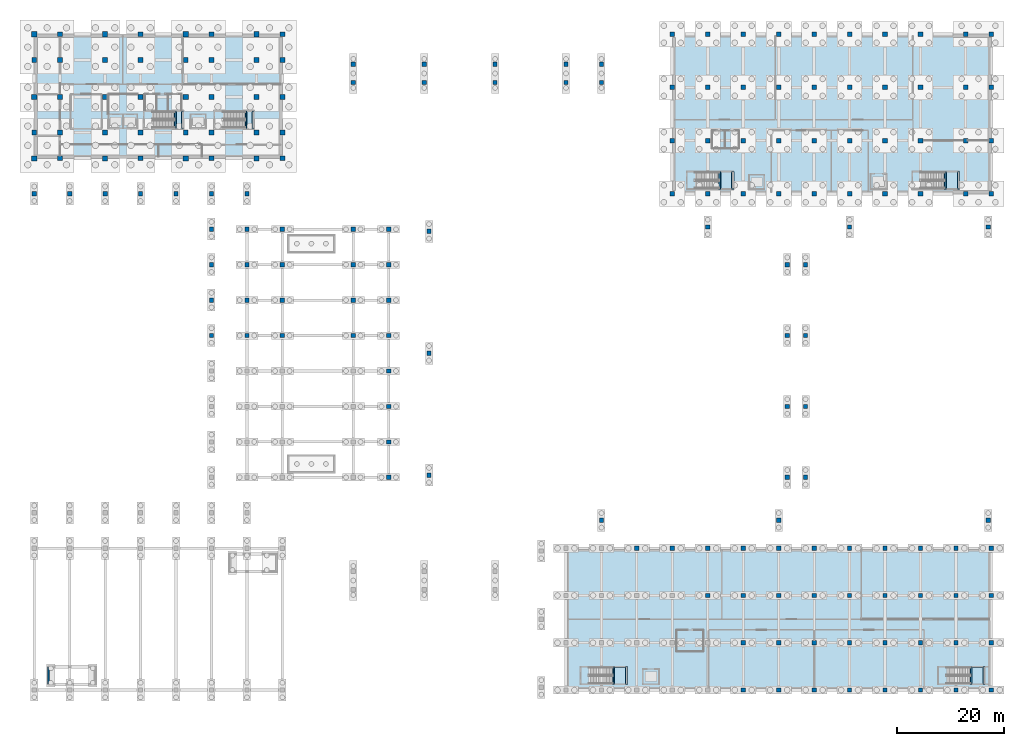
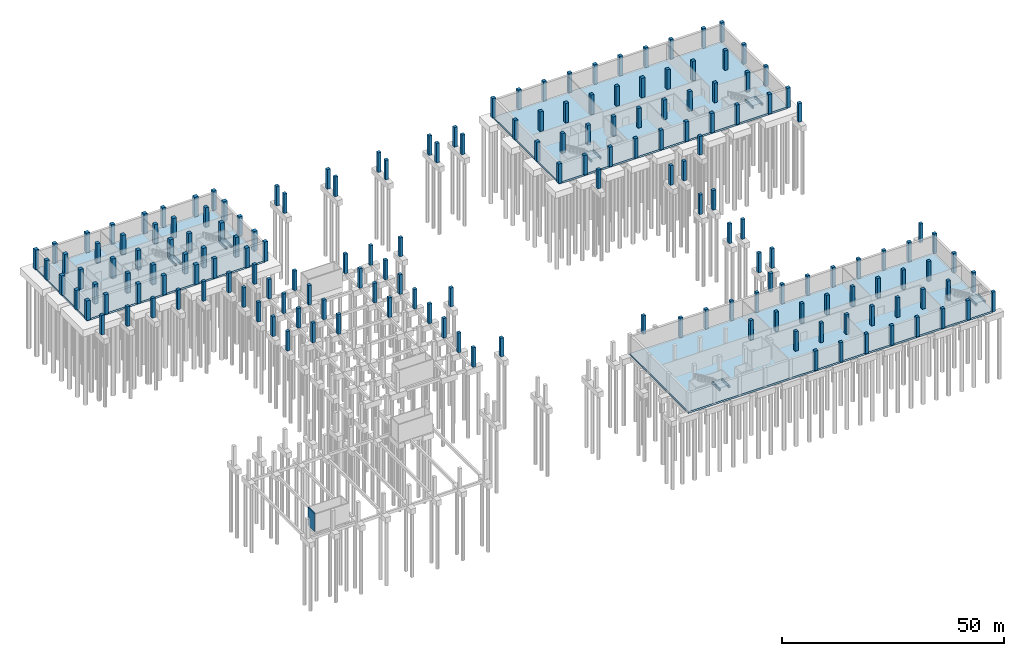
# One storey, part 7 of 23: 174 columns, 12 beams, 9 slabs, 1 wall, 6 elements without a shape of their own.
"""IFC4 building model written with IfcOpenShell, lengths in metres."""

import ifcopenshell
import ifcopenshell.guid

model = None  # the IFC model being written
_history = None  # IfcOwnerHistory: only IFC2X3 demands one
_inside = {}  # id of a spatial element -> (the spatial element, [elements in it])
_under = {}  # id of a project, library or spatial element -> (it, [spatial elements below it])
_declared = {}  # id of a project -> (the project, [libraries it declares])
_typed = {}  # id of a type object -> (the type object, [elements of that type])
_made_of = {}  # id of a material, layer set ... -> (it, [elements and type objects made of it])


def new_model(schema):
    """Start an empty IFC model of exactly this schema.

    Asked for "IFC4X3", IfcOpenShell would pick the latest addendum, in which some entities
    have other attributes; the version numbers below select the first issue.
    IFC2X3 requires an IfcOwnerHistory on every rooted entity: one is made here for all.
    """
    global model, _history
    if schema == "IFC4X3":
        model = ifcopenshell.file(schema_version=(4, 3, 0, 0))
    else:
        model = ifcopenshell.file(schema=schema)
    _inside.clear()
    _under.clear()
    _declared.clear()
    _typed.clear()
    _made_of.clear()
    _history = None
    if model.schema == "IFC2X3":
        org = make("IfcOrganization", Name="unknown")
        user = make(
            "IfcPersonAndOrganization",
            ThePerson=make("IfcPerson", FamilyName="unknown"),
            TheOrganization=org,
        )
        app = make(
            "IfcApplication",
            ApplicationDeveloper=org,
            Version="unknown",
            ApplicationFullName="unknown",
            ApplicationIdentifier="unknown",
        )
        _history = make(
            "IfcOwnerHistory",
            OwningUser=user,
            OwningApplication=app,
            ChangeAction="ADDED",
            CreationDate=0,
        )
    return model


def make(cls, **values):
    """One entity of the class cls with the attributes given. An attribute that is None is left unset."""
    return model.create_entity(
        cls, **{name: value for name, value in values.items() if value is not None}
    )


def rooted(cls, **values):
    """An entity with a GlobalId (a new one), such as an element, a storey or a relation."""
    return make(cls, GlobalId=ifcopenshell.guid.new(), OwnerHistory=_history, **values)


def si_unit(unit_type, name, prefix=None):
    """IfcSIUnit, for example si_unit("LENGTHUNIT", "METRE", prefix="MILLI")."""
    return make("IfcSIUnit", UnitType=unit_type, Prefix=prefix, Name=name)


def assignment(units):
    """IfcUnitAssignment: the units of a project."""
    return None if units is None else make("IfcUnitAssignment", Units=units)


def point(xyz):
    """IfcCartesianPoint."""
    return None if xyz is None else make("IfcCartesianPoint", Coordinates=xyz)


def direction(xyz):
    """IfcDirection."""
    return None if xyz is None else make("IfcDirection", DirectionRatios=xyz)


def frame(location, z_axis=None, x_axis=None):
    """IfcAxis2Placement3D, a coordinate frame: its origin and axes. An axis left out is left unset."""
    return make(
        "IfcAxis2Placement3D",
        Location=point(location),
        Axis=direction(z_axis),
        RefDirection=direction(x_axis),
    )


def frame_2d(location, x_axis=None):
    """IfcAxis2Placement2D, a coordinate frame in the plane: its origin and x axis."""
    return make(
        "IfcAxis2Placement2D", Location=point(location), RefDirection=direction(x_axis)
    )


def origin():
    """The frame at (0, 0, 0) with its axes left unset."""
    return frame((0.0, 0.0, 0.0))


def origin_2d():
    """The frame at (0, 0) in the plane with its x axis left unset."""
    return frame_2d((0.0, 0.0))


def place(relative_to, where):
    """IfcLocalPlacement: puts the frame where relative to a parent placement (None: the world)."""
    return make(
        "IfcLocalPlacement", PlacementRelTo=relative_to, RelativePlacement=where
    )


def context(
    kind, dimensions, precision=None, world=None, true_north=None, identifier=None
):
    """IfcGeometricRepresentationContext, for example the 3D "Model" context."""
    return make(
        "IfcGeometricRepresentationContext",
        ContextIdentifier=identifier,
        ContextType=kind,
        CoordinateSpaceDimension=dimensions,
        Precision=precision,
        WorldCoordinateSystem=world,
        TrueNorth=true_north,
    )


def subcontext(parent, identifier, kind, view, scale=None):
    """IfcGeometricRepresentationSubContext, for example "Body" below "Model"."""
    return make(
        "IfcGeometricRepresentationSubContext",
        ContextIdentifier=identifier,
        ContextType=kind,
        ParentContext=parent,
        TargetScale=scale,
        TargetView=view,
    )


def project(units=None, contexts=None):
    """IfcProject with its units and contexts."""
    return rooted(
        "IfcProject",
        Name="project",
        RepresentationContexts=contexts,
        UnitsInContext=assignment(units),
    )


def spatial(cls, under=None, at=None, **own):
    """A site, building, storey or space (cls), placed at a placement, below another one or the project."""
    s = rooted(cls, ObjectPlacement=at, **own)
    if under is not None:
        _under.setdefault(under.id(), (under, []))[1].append(s)
    return s


def polyline(points):
    """IfcPolyline through the points."""
    return make("IfcPolyline", Points=[point(p) for p in points])


def profile(cls, at=None, kind="AREA", **sizes):
    """A parametric profile (cls). Its sizes go by their IFC names, for example OverallWidth=200.0."""
    return make(cls, ProfileType=kind, Position=at, **sizes)


def rectangle(**sizes):
    """IfcRectangleProfileDef."""
    return profile("IfcRectangleProfileDef", **sizes)


def outline(outer, holes=None, kind="AREA"):
    """IfcArbitraryClosedProfileDef: a profile drawn as a closed curve; with holes, ...WithVoids."""
    if holes is None:
        return make("IfcArbitraryClosedProfileDef", ProfileType=kind, OuterCurve=outer)
    return make(
        "IfcArbitraryProfileDefWithVoids",
        ProfileType=kind,
        OuterCurve=outer,
        InnerCurves=holes,
    )


def extrude(swept, where, along, depth):
    """IfcExtrudedAreaSolid: the profile swept, set in the frame where, extruded along a direction by depth."""
    return make(
        "IfcExtrudedAreaSolid",
        SweptArea=swept,
        Position=where,
        ExtrudedDirection=direction(along),
        Depth=depth,
    )


def shape(context_of_items, identifier, shape_type, items):
    """IfcShapeRepresentation: the items that make up one representation, for example the "Body"."""
    return make(
        "IfcShapeRepresentation",
        ContextOfItems=context_of_items,
        RepresentationIdentifier=identifier,
        RepresentationType=shape_type,
        Items=items,
    )


def material(Name=None, Category=None):
    """IfcMaterial."""
    return make("IfcMaterial", Name=Name, Category=Category)


def layer(
    of_material, thickness, ventilated=None, Name=None, Category=None, Priority=None
):
    """IfcMaterialLayer: one layer of a wall or slab, of a material (None: an air gap)."""
    return make(
        "IfcMaterialLayer",
        Material=of_material,
        LayerThickness=thickness,
        IsVentilated=ventilated,
        Name=Name,
        Category=Category,
        Priority=Priority,
    )


def layer_set(layers, Name=None):
    """IfcMaterialLayerSet."""
    return make("IfcMaterialLayerSet", MaterialLayers=layers, LayerSetName=Name)


def material_profile(
    of_material, cross_section, Name=None, Category=None, Priority=None
):
    """IfcMaterialProfile: a cross section and its material."""
    return make(
        "IfcMaterialProfile",
        Name=Name,
        Material=of_material,
        Profile=cross_section,
        Priority=Priority,
        Category=Category,
    )


def profile_set(profiles, Name=None, composite=None):
    """IfcMaterialProfileSet."""
    return make(
        "IfcMaterialProfileSet",
        Name=Name,
        MaterialProfiles=profiles,
        CompositeProfile=composite,
    )


def made_of(thing, what):
    """Note that an element or type object is made of a material, layer set ...; save() writes the relation."""
    if what is not None:
        _made_of.setdefault(what.id(), (what, []))[1].append(thing)
    return thing


def type_object(cls, material=None, **own):
    """A type object (cls), such as IfcWallType, which elements share."""
    return made_of(rooted(cls, **own), material)


def element(
    cls,
    number,
    at=None,
    inside=None,
    cuts=None,
    type_object=None,
    material=None,
    context=None,
    identifier="Body",
    shape_type=None,
    held_by="IfcProductDefinitionShape",
    body=None,
    shapes=None,
    **own,
):
    """One element of the class cls, such as IfcWall. Its Tag is "e" and its number.

    at: its placement. inside: the storey or other place that contains it. cuts: it is an
    opening in that element (IfcRelVoidsElement). A single representation is given by context,
    identifier, shape_type and body (its items); several are given by shapes. held_by: the class
    of the entity that holds the representations. save() writes the other relations.
    """
    e = rooted(cls, Tag="e%d" % number, ObjectPlacement=at, **own)
    if body is not None:
        shapes = [shape(context, identifier, shape_type, body)]
    if shapes is not None:
        e.Representation = make(held_by, Representations=shapes)
    if inside is not None:
        _inside.setdefault(inside.id(), (inside, []))[1].append(e)
    if cuts is not None:
        rooted(
            "IfcRelVoidsElement", RelatingBuildingElement=cuts, RelatedOpeningElement=e
        )
    if type_object is not None:
        _typed.setdefault(type_object.id(), (type_object, []))[1].append(e)
    return made_of(e, material)


def aggregate(whole, parts):
    """IfcRelAggregates: a whole, such as a stair, and the parts it consists of."""
    return rooted("IfcRelAggregates", RelatingObject=whole, RelatedObjects=parts)


def save(model, path):
    """Write the relations noted so far, then the file.

    IfcRelAggregates (storeys below a building ...), IfcRelContainedInSpatialStructure (elements
    in a storey), IfcRelDefinesByType, IfcRelAssociatesMaterial and IfcRelDeclares: one each for
    every whole, place, type object, material and project.
    """
    for whole, parts in _under.values():
        aggregate(whole, parts)
    for where, things in _inside.values():
        rooted(
            "IfcRelContainedInSpatialStructure",
            RelatedElements=things,
            RelatingStructure=where,
        )
    for kind, things in _typed.values():
        rooted("IfcRelDefinesByType", RelatedObjects=things, RelatingType=kind)
    for what, things in _made_of.values():
        rooted("IfcRelAssociatesMaterial", RelatedObjects=things, RelatingMaterial=what)
    for by, libraries in _declared.values():
        rooted("IfcRelDeclares", RelatingContext=by, RelatedDefinitions=libraries)
    model.write(path)


model = new_model("IFC4")

# Units and contexts
model_context = context("Model", 3, precision=1e-05, world=origin(), true_north=direction((0.0, 1.0)))
body_context = subcontext(model_context, "Body", "Model", "MODEL_VIEW")
ifc_project = project(units=[si_unit("LENGTHUNIT", "METRE"), si_unit("AREAUNIT", "SQUARE_METRE"), si_unit("VOLUMEUNIT", "CUBIC_METRE"), si_unit("PLANEANGLEUNIT", "RADIAN"), si_unit("MASSUNIT", "GRAM", prefix="KILO")], contexts=[model_context])

# Site, building, storey
site_placement = place(None, origin())
site = spatial("IfcSite", under=ifc_project, at=site_placement, CompositionType="ELEMENT")
building_placement = place(site_placement, origin())
building = spatial("IfcBuilding", under=site, at=building_placement, Name="Dornvale Research Institute", CompositionType="ELEMENT")
storey_placement = place(building_placement, frame((0.0, 0.0, -5.39990234375)))
storey = spatial("IfcBuildingStorey", under=building, at=storey_placement, Name="B1", CompositionType="ELEMENT", Elevation=-5.39990234375)

# Columns
ifc_material_1 = material(Name="Concrete f'c 50 MPa (C40/50)", Category="concrete")
ifc_material_profile_1 = material_profile(ifc_material_1, rectangle(XDim=0.800048828125, YDim=0.800048828125, at=origin_2d()), Name="RC 800x800")
ifc_profile_set_1 = profile_set([ifc_material_profile_1], Name="Concrete f'c 50 MPa (C40/50)")
column_type_1 = type_object("IfcColumnType", Name="Column_RC800", PredefinedType="COLUMN", material=ifc_profile_set_1)
for number, where, z_axis, x_axis, name in (
    (1, (112.199951171875, 26.39990234375, 0.0), (0.0, 0.0, 1.0), (1.0, 0.0, 0.0), "B1 column #737"),
    (2, (118.800048828125, 26.39990234375, 0.0), (0.0, 0.0, 1.0), (1.0, 0.0, 0.0), "B1 column #741"),
    (3, (125.39990234375, 17.60009765625, 0.0), (0.0, 0.0, 1.0), (1.0, 0.0, 0.0), "B1 column #744"),
    (4, (125.39990234375, 26.39990234375, 0.0), (0.0, 0.0, 1.0), (1.0, 0.0, 0.0), "B1 column #745"),
    (5, (132.0, 0.0, 0.0), (0.0, 0.0, 1.0), (1.0, 0.0, 0.0), "B1 column #746"),
    (6, (132.0, 8.800048828125, 0.0), (0.0, 0.0, 1.0), (1.0, 0.0, 0.0), "B1 column #747"),
    (7, (132.0, 17.60009765625, 0.0), (0.0, 0.0, 1.0), (1.0, 0.0, 0.0), "B1 column #748"),
    (8, (132.0, 26.39990234375, 0.0), (0.0, 0.0, 1.0), (1.0, 0.0, 0.0), "B1 column #749"),
    (9, (138.60009765625, 0.0, 0.0), (0.0, 0.0, 1.0), (1.0, 0.0, 0.0), "B1 column #750"),
    (10, (138.60009765625, 8.800048828125, 0.0), (0.0, 0.0, 1.0), (1.0, 0.0, 0.0), "B1 column #751"),
    (11, (138.60009765625, 17.60009765625, 0.0), (0.0, 0.0, 1.0), (1.0, 0.0, 0.0), "B1 column #752"),
    (12, (138.60009765625, 26.39990234375, 0.0), (0.0, 0.0, 1.0), (1.0, 0.0, 0.0), "B1 column #753"),
    (13, (145.199951171875, 0.0, 0.0), (0.0, 0.0, 1.0), (1.0, 0.0, 0.0), "B1 column #754"),
    (14, (145.199951171875, 8.800048828125, 0.0), (0.0, 0.0, 1.0), (1.0, 0.0, 0.0), "B1 column #755"),
    (15, (145.199951171875, 17.60009765625, 0.0), (0.0, 0.0, 1.0), (1.0, 0.0, 0.0), "B1 column #756"),
    (16, (145.199951171875, 26.39990234375, 0.0), (0.0, 0.0, 1.0), (1.0, 0.0, 0.0), "B1 column #757"),
    (17, (151.800048828125, 0.0, 0.0), (0.0, 0.0, 1.0), (1.0, 0.0, 0.0), "B1 column #758"),
    (18, (151.800048828125, 8.800048828125, 0.0), (0.0, 0.0, 1.0), (1.0, 0.0, 0.0), "B1 column #759"),
    (19, (151.800048828125, 17.60009765625, 0.0), (0.0, 0.0, 1.0), (1.0, 0.0, 0.0), "B1 column #760"),
    (20, (151.800048828125, 26.39990234375, 0.0), (0.0, 0.0, 1.0), (1.0, 0.0, 0.0), "B1 column #761"),
    (21, (158.39990234375, 0.0, 0.0), (0.0, 0.0, 1.0), (1.0, 0.0, 0.0), "B1 column #762"),
    (22, (158.39990234375, 8.800048828125, 0.0), (0.0, 0.0, 1.0), (1.0, 0.0, 0.0), "B1 column #763"),
    (23, (158.39990234375, 17.60009765625, 0.0), (0.0, 0.0, 1.0), (1.0, 0.0, 0.0), "B1 column #764"),
    (24, (158.39990234375, 26.39990234375, 0.0), (0.0, 0.0, 1.0), (1.0, 0.0, 0.0), "B1 column #765"),
    (25, (165.0, 0.0, 0.0), (0.0, 0.0, 1.0), (1.0, 0.0, 0.0), "B1 column #766"),
    (26, (165.0, 8.800048828125, 0.0), (0.0, 0.0, 1.0), (1.0, 0.0, 0.0), "B1 column #767"),
    (27, (165.0, 17.60009765625, 0.0), (0.0, 0.0, 1.0), (1.0, 0.0, 0.0), "B1 column #768"),
    (28, (165.0, 26.39990234375, 0.0), (0.0, 0.0, 1.0), (1.0, 0.0, 0.0), "B1 column #769"),
    (29, (171.60009765625, 0.0, 0.0), (0.0, 0.0, 1.0), (1.0, 0.0, 0.0), "B1 column #770"),
    (30, (171.60009765625, 8.800048828125, 0.0), (0.0, 0.0, 1.0), (1.0, 0.0, 0.0), "B1 column #771"),
    (31, (171.60009765625, 17.60009765625, 0.0), (0.0, 0.0, 1.0), (1.0, 0.0, 0.0), "B1 column #772"),
    (32, (171.60009765625, 26.39990234375, 0.0), (0.0, 0.0, 1.0), (1.0, 0.0, 0.0), "B1 column #773"),
    (33, (178.199951171875, 0.0, 0.0), (0.0, 0.0, 1.0), (1.0, 0.0, 0.0), "B1 column #774"),
    (34, (178.199951171875, 8.800048828125, 0.0), (0.0, 0.0, 1.0), (1.0, 0.0, 0.0), "B1 column #775"),
    (35, (178.199951171875, 17.60009765625, 0.0), (0.0, 0.0, 1.0), (1.0, 0.0, 0.0), "B1 column #776"),
    (36, (178.199951171875, 26.39990234375, 0.0), (0.0, 0.0, 1.0), (1.0, 0.0, 0.0), "B1 column #777"),
    (37, (39.60009765625, 66.0, 0.0), (0.0, 0.0, 1.0), (1.0, 0.0, 0.0), "B1 column #990"),
    (38, (39.60009765625, 72.60009765625, 0.0), (0.0, 0.0, 1.0), (1.0, 0.0, 0.0), "B1 column #991"),
    (39, (39.60009765625, 79.199951171875, 0.0), (0.0, 0.0, 1.0), (1.0, 0.0, 0.0), "B1 column #992"),
    (40, (39.60009765625, 85.800048828125, 0.0), (0.0, 0.0, 1.0), (1.0, 0.0, 0.0), "B1 column #993"),
    (41, (46.199951171875, 66.0, 0.0), (0.0, 0.0, 1.0), (1.0, 0.0, 0.0), "B1 column #998"),
    (42, (46.199951171875, 72.60009765625, 0.0), (0.0, 0.0, 1.0), (1.0, 0.0, 0.0), "B1 column #999"),
    (43, (46.199951171875, 79.199951171875, 0.0), (0.0, 0.0, 1.0), (1.0, 0.0, 0.0), "B1 column #1000"),
    (44, (46.199951171875, 85.800048828125, 0.0), (0.0, 0.0, 1.0), (1.0, 0.0, 0.0), "B1 column #1001"),
    (45, (59.39990234375, 66.0, 0.0), (0.0, 0.0, 1.0), (1.0, 0.0, 0.0), "B1 column #1006"),
    (46, (59.39990234375, 72.60009765625, 0.0), (0.0, 0.0, 1.0), (1.0, 0.0, 0.0), "B1 column #1007"),
    (47, (59.39990234375, 79.199951171875, 0.0), (0.0, 0.0, 1.0), (1.0, 0.0, 0.0), "B1 column #1008"),
    (48, (59.39990234375, 85.800048828125, 0.0), (0.0, 0.0, 1.0), (1.0, 0.0, 0.0), "B1 column #1009"),
    (49, (66.0, 39.60009765625, 0.0), (0.0, 0.0, 1.0), (1.0, 0.0, 0.0), "B1 column #1010"),
    (50, (66.0, 46.199951171875, 0.0), (0.0, 0.0, 1.0), (1.0, 0.0, 0.0), "B1 column #1011"),
    (51, (66.0, 52.800048828125, 0.0), (0.0, 0.0, 1.0), (1.0, 0.0, 0.0), "B1 column #1012"),
    (52, (66.0, 59.39990234375, 0.0), (0.0, 0.0, 1.0), (1.0, 0.0, 0.0), "B1 column #1013"),
    (53, (66.0, 66.0, 0.0), (0.0, 0.0, 1.0), (1.0, 0.0, 0.0), "B1 column #1014"),
    (54, (66.0, 72.60009765625, 0.0), (0.0, 0.0, 1.0), (1.0, 0.0, 0.0), "B1 column #1015"),
    (55, (66.0, 79.199951171875, 0.0), (0.0, 0.0, 1.0), (1.0, 0.0, 0.0), "B1 column #1016"),
    (56, (66.0, 85.800048828125, 0.0), (0.0, 0.0, 1.0), (1.0, 0.0, 0.0), "B1 column #1017"),
    (57, (0.0, 92.39990234375, 0.0), (0.0, 0.0, 1.0), (1.0, 0.0, 0.0), "B1 colonnade column #1224"),
    (58, (6.60009765625, 92.39990234375, 0.0), (0.0, 0.0, 1.0), (1.0, 0.0, 0.0), "B1 colonnade column #1226"),
    (59, (13.199951171875, 92.39990234375, 0.0), (0.0, 0.0, 1.0), (1.0, 0.0, 0.0), "B1 colonnade column #1228"),
    (60, (19.800048828125, 92.39990234375, 0.0), (0.0, 0.0, 1.0), (1.0, 0.0, 0.0), "B1 colonnade column #1230"),
    (61, (26.39990234375, 92.39990234375, 0.0), (0.0, 0.0, 1.0), (1.0, 0.0, 0.0), "B1 colonnade column #1232"),
    (62, (33.0, 92.39990234375, 0.0), (0.0, 0.0, 1.0), (1.0, 0.0, 0.0), "B1 colonnade column #1234"),
    (63, (39.60009765625, 92.39990234375, 0.0), (0.0, 0.0, 1.0), (1.0, 0.0, 0.0), "B1 colonnade column #1236"),
    (64, (33.0, 66.0, 0.0), (0.0, 0.0, 1.0), (1.0, 0.0, 0.0), "B1 colonnade column #1246"),
    (65, (33.0, 72.60009765625, 0.0), (0.0, 0.0, 1.0), (1.0, 0.0, 0.0), "B1 colonnade column #1248"),
    (66, (33.0, 79.199951171875, 0.0), (0.0, 0.0, 1.0), (1.0, 0.0, 0.0), "B1 colonnade column #1250"),
    (67, (33.0, 85.800048828125, 0.0), (0.0, 0.0, 1.0), (1.0, 0.0, 0.0), "B1 colonnade column #1252"),
):
    element("IfcColumn", number, at=place(storey_placement, frame(where, z_axis=z_axis, x_axis=x_axis)), inside=storey, type_object=column_type_1, Name=name, PredefinedType="COLUMN", context=body_context, shape_type="SweptSolid", body=[
        extrude(rectangle(XDim=0.800048828125, YDim=0.800048828125, at=origin_2d()), origin(), (0.0, 0.0, 1.0), 5.39990234375),
    ])
for number, where, z_axis, x_axis, name in (
    (68, (73.5, 40.0, 0.0), (0.0, 0.0, 1.0), (1.0, 0.0, 0.0), "B1 grade walk pier #1254"),
    (69, (73.5, 62.699951171875, 0.0), (0.0, 0.0, 1.0), (1.0, 0.0, 0.0), "B1 grade walk pier #1255"),
    (70, (73.5, 85.39990234375, 0.0), (0.0, 0.0, 1.0), (1.0, 0.0, 0.0), "B1 grade walk pier #1256"),
    (71, (105.60009765625, 31.60009765625, 0.0), (0.0, 0.0, 1.0), (1.0, 0.0, 0.0), "B1 grade walk pier #1260"),
    (72, (138.60009765625, 31.60009765625, 0.0), (0.0, 0.0, 1.0), (1.0, 0.0, 0.0), "B1 grade walk pier #1261"),
    (73, (177.60009765625, 31.60009765625, 0.0), (0.0, 0.0, 1.0), (1.0, 0.0, 0.0), "B1 grade walk pier #1262"),
    (74, (125.39990234375, 86.199951171875, 0.0), (0.0, 0.0, 1.0), (1.0, 0.0, 0.0), "B1 grade walk pier #1263"),
    (75, (151.800048828125, 86.199951171875, 0.0), (0.0, 0.0, 1.0), (1.0, 0.0, 0.0), "B1 grade walk pier #1264"),
    (76, (177.60009765625, 86.199951171875, 0.0), (0.0, 0.0, 1.0), (1.0, 0.0, 0.0), "B1 grade walk pier #1265"),
):
    element("IfcColumn", number, at=place(storey_placement, frame(where, z_axis=z_axis, x_axis=x_axis)), inside=storey, type_object=column_type_1, Name=name, PredefinedType="COLUMN", context=body_context, shape_type="SweptSolid", body=[
        extrude(rectangle(XDim=0.800048828125, YDim=0.800048828125, at=origin_2d()), origin(), (0.0, 0.0, 1.0), 5.159912109375),
    ])
for number, where, z_axis, x_axis, name in (
    (77, (59.39990234375, 113.10009765625, 0.0), (0.0, 0.0, 1.0), (1.0, 0.0, 0.0), "B1 cloister link bridge pier #1"),
    (78, (72.60009765625, 113.10009765625, 0.0), (0.0, 0.0, 1.0), (1.0, 0.0, 0.0), "B1 cloister link bridge pier #4"),
    (79, (85.800048828125, 113.10009765625, 0.0), (0.0, 0.0, 1.0), (1.0, 0.0, 0.0), "B1 cloister link bridge pier #7"),
    (80, (99.0, 113.10009765625, 0.0), (0.0, 0.0, 1.0), (1.0, 0.0, 0.0), "B1 cloister link bridge pier #10"),
    (81, (105.60009765625, 113.10009765625, 0.0), (0.0, 0.0, 1.0), (1.0, 0.0, 0.0), "B1 cloister link bridge pier #13"),
    (82, (59.39990234375, 116.5, 0.0), (0.0, 0.0, 1.0), (1.0, 0.0, 0.0), "B1 cloister link bridge pier #16"),
    (83, (72.60009765625, 116.5, 0.0), (0.0, 0.0, 1.0), (1.0, 0.0, 0.0), "B1 cloister link bridge pier #19"),
    (84, (85.800048828125, 116.5, 0.0), (0.0, 0.0, 1.0), (1.0, 0.0, 0.0), "B1 cloister link bridge pier #22"),
    (85, (99.0, 116.5, 0.0), (0.0, 0.0, 1.0), (1.0, 0.0, 0.0), "B1 cloister link bridge pier #25"),
    (86, (105.60009765625, 116.5, 0.0), (0.0, 0.0, 1.0), (1.0, 0.0, 0.0), "B1 cloister link bridge pier #28"),
    (87, (140.199951171875, 39.60009765625, 0.0), (0.0, 0.0, 1.0), (1.0, 0.0, 0.0), "B1 cloister link bridge pier #55"),
    (88, (140.199951171875, 52.800048828125, 0.0), (0.0, 0.0, 1.0), (1.0, 0.0, 0.0), "B1 cloister link bridge pier #58"),
    (89, (140.199951171875, 66.0, 0.0), (0.0, 0.0, 1.0), (1.0, 0.0, 0.0), "B1 cloister link bridge pier #61"),
    (90, (140.199951171875, 79.199951171875, 0.0), (0.0, 0.0, 1.0), (1.0, 0.0, 0.0), "B1 cloister link bridge pier #64"),
    (91, (143.60009765625, 39.60009765625, 0.0), (0.0, 0.0, 1.0), (1.0, 0.0, 0.0), "B1 cloister link bridge pier #67"),
    (92, (143.60009765625, 52.800048828125, 0.0), (0.0, 0.0, 1.0), (1.0, 0.0, 0.0), "B1 cloister link bridge pier #70"),
    (93, (143.60009765625, 66.0, 0.0), (0.0, 0.0, 1.0), (1.0, 0.0, 0.0), "B1 cloister link bridge pier #73"),
    (94, (143.60009765625, 79.199951171875, 0.0), (0.0, 0.0, 1.0), (1.0, 0.0, 0.0), "B1 cloister link bridge pier #76"),
):
    element("IfcColumn", number, at=place(storey_placement, frame(where, z_axis=z_axis, x_axis=x_axis)), inside=storey, type_object=column_type_1, Name=name, PredefinedType="COLUMN", context=body_context, shape_type="SweptSolid", body=[
        extrude(rectangle(XDim=0.800048828125, YDim=0.800048828125, at=origin_2d()), origin(), (0.0, 0.0, 1.0), 5.39990234375),
    ])
ifc_material_2 = material(Name="Concrete f'c 50 MPa (C40/50)", Category="concrete")
ifc_material_profile_2 = material_profile(ifc_material_2, rectangle(XDim=0.85009765625, YDim=0.85009765625, at=origin_2d()), Name="RC 850x850")
ifc_profile_set_2 = profile_set([ifc_material_profile_2], Name="Concrete f'c 50 MPa (C40/50)")
column_type_2 = type_object("IfcColumnType", Name="Column_RC850", PredefinedType="COLUMN", material=ifc_profile_set_2)
for number, where, z_axis, x_axis, name in (
    (95, (118.800048828125, 92.39990234375, 0.0), (0.0, 0.0, 1.0), (1.0, 0.0, 0.0), "B1 column #414"),
    (96, (118.800048828125, 102.300048828125, 0.0), (0.0, 0.0, 1.0), (1.0, 0.0, 0.0), "B1 column #415"),
    (97, (118.800048828125, 112.199951171875, 0.0), (0.0, 0.0, 1.0), (1.0, 0.0, 0.0), "B1 column #416"),
    (98, (118.800048828125, 122.10009765625, 0.0), (0.0, 0.0, 1.0), (1.0, 0.0, 0.0), "B1 column #417"),
    (99, (125.39990234375, 92.39990234375, 0.0), (0.0, 0.0, 1.0), (1.0, 0.0, 0.0), "B1 column #418"),
    (100, (125.39990234375, 102.300048828125, 0.0), (0.0, 0.0, 1.0), (1.0, 0.0, 0.0), "B1 column #419"),
    (101, (125.39990234375, 112.199951171875, 0.0), (0.0, 0.0, 1.0), (1.0, 0.0, 0.0), "B1 column #420"),
    (102, (125.39990234375, 122.10009765625, 0.0), (0.0, 0.0, 1.0), (1.0, 0.0, 0.0), "B1 column #421"),
    (103, (132.0, 92.39990234375, 0.0), (0.0, 0.0, 1.0), (1.0, 0.0, 0.0), "B1 column #422"),
    (104, (132.0, 102.300048828125, 0.0), (0.0, 0.0, 1.0), (1.0, 0.0, 0.0), "B1 column #423"),
    (105, (132.0, 112.199951171875, 0.0), (0.0, 0.0, 1.0), (1.0, 0.0, 0.0), "B1 column #424"),
    (106, (132.0, 122.10009765625, 0.0), (0.0, 0.0, 1.0), (1.0, 0.0, 0.0), "B1 column #425"),
    (107, (138.60009765625, 92.39990234375, 0.0), (0.0, 0.0, 1.0), (1.0, 0.0, 0.0), "B1 column #426"),
    (108, (138.60009765625, 102.300048828125, 0.0), (0.0, 0.0, 1.0), (1.0, 0.0, 0.0), "B1 column #427"),
    (109, (138.60009765625, 112.199951171875, 0.0), (0.0, 0.0, 1.0), (1.0, 0.0, 0.0), "B1 column #428"),
    (110, (138.60009765625, 122.10009765625, 0.0), (0.0, 0.0, 1.0), (1.0, 0.0, 0.0), "B1 column #429"),
    (111, (145.199951171875, 92.39990234375, 0.0), (0.0, 0.0, 1.0), (1.0, 0.0, 0.0), "B1 column #430"),
    (112, (145.199951171875, 102.300048828125, 0.0), (0.0, 0.0, 1.0), (1.0, 0.0, 0.0), "B1 column #431"),
    (113, (145.199951171875, 112.199951171875, 0.0), (0.0, 0.0, 1.0), (1.0, 0.0, 0.0), "B1 column #432"),
    (114, (145.199951171875, 122.10009765625, 0.0), (0.0, 0.0, 1.0), (1.0, 0.0, 0.0), "B1 column #433"),
    (115, (151.800048828125, 92.39990234375, 0.0), (0.0, 0.0, 1.0), (1.0, 0.0, 0.0), "B1 column #434"),
    (116, (151.800048828125, 102.300048828125, 0.0), (0.0, 0.0, 1.0), (1.0, 0.0, 0.0), "B1 column #435"),
    (117, (151.800048828125, 112.199951171875, 0.0), (0.0, 0.0, 1.0), (1.0, 0.0, 0.0), "B1 column #436"),
    (118, (151.800048828125, 122.10009765625, 0.0), (0.0, 0.0, 1.0), (1.0, 0.0, 0.0), "B1 column #437"),
    (119, (158.39990234375, 92.39990234375, 0.0), (0.0, 0.0, 1.0), (1.0, 0.0, 0.0), "B1 column #438"),
    (120, (158.39990234375, 102.300048828125, 0.0), (0.0, 0.0, 1.0), (1.0, 0.0, 0.0), "B1 column #439"),
    (121, (158.39990234375, 112.199951171875, 0.0), (0.0, 0.0, 1.0), (1.0, 0.0, 0.0), "B1 column #440"),
    (122, (158.39990234375, 122.10009765625, 0.0), (0.0, 0.0, 1.0), (1.0, 0.0, 0.0), "B1 column #441"),
    (123, (165.0, 92.39990234375, 0.0), (0.0, 0.0, 1.0), (1.0, 0.0, 0.0), "B1 column #442"),
    (124, (165.0, 102.300048828125, 0.0), (0.0, 0.0, 1.0), (1.0, 0.0, 0.0), "B1 column #443"),
    (125, (165.0, 112.199951171875, 0.0), (0.0, 0.0, 1.0), (1.0, 0.0, 0.0), "B1 column #444"),
    (126, (165.0, 122.10009765625, 0.0), (0.0, 0.0, 1.0), (1.0, 0.0, 0.0), "B1 column #445"),
    (127, (173.39990234375, 92.39990234375, 0.0), (0.0, 0.0, 1.0), (1.0, 0.0, 0.0), "B1 column #446"),
    (128, (173.39990234375, 102.300048828125, 0.0), (0.0, 0.0, 1.0), (1.0, 0.0, 0.0), "B1 column #447"),
    (129, (173.39990234375, 112.199951171875, 0.0), (0.0, 0.0, 1.0), (1.0, 0.0, 0.0), "B1 column #448"),
    (130, (173.39990234375, 122.10009765625, 0.0), (0.0, 0.0, 1.0), (1.0, 0.0, 0.0), "B1 column #449"),
    (131, (178.199951171875, 92.39990234375, 0.0), (0.0, 0.0, 1.0), (1.0, 0.0, 0.0), "B1 column #450"),
    (132, (178.199951171875, 102.300048828125, 0.0), (0.0, 0.0, 1.0), (1.0, 0.0, 0.0), "B1 column #451"),
    (133, (178.199951171875, 112.199951171875, 0.0), (0.0, 0.0, 1.0), (1.0, 0.0, 0.0), "B1 column #452"),
    (134, (178.199951171875, 122.10009765625, 0.0), (0.0, 0.0, 1.0), (1.0, 0.0, 0.0), "B1 column #453"),
):
    element("IfcColumn", number, at=place(storey_placement, frame(where, z_axis=z_axis, x_axis=x_axis)), inside=storey, type_object=column_type_2, Name=name, PredefinedType="COLUMN", context=body_context, shape_type="SweptSolid", body=[
        extrude(rectangle(XDim=0.85009765625, YDim=0.85009765625, at=origin_2d()), origin(), (0.0, 0.0, 1.0), 5.39990234375),
    ])
ifc_material_3 = material(Name="Concrete f'c 50 MPa (C40/50)", Category="concrete")
ifc_material_profile_3 = material_profile(ifc_material_3, rectangle(XDim=0.89990234375, YDim=0.89990234375, at=origin_2d()), Name="RC 900x900")
ifc_profile_set_3 = profile_set([ifc_material_profile_3], Name="Concrete f'c 50 MPa (C40/50)")
column_type_3 = type_object("IfcColumnType", Name="Column_RC900", PredefinedType="COLUMN", material=ifc_profile_set_3)
for number, where, z_axis, x_axis, name in (
    (135, (0.0, 103.800048828125, 0.0), (0.0, 0.0, 1.0), (1.0, 0.0, 0.0), "B1 column #2"),
    (136, (0.0, 117.300048828125, 0.0), (0.0, 0.0, 1.0), (1.0, 0.0, 0.0), "B1 column #4"),
    (137, (4.800048828125, 99.0, 0.0), (0.0, 0.0, 1.0), (1.0, 0.0, 0.0), "B1 column #6"),
    (138, (4.800048828125, 110.39990234375, 0.0), (0.0, 0.0, 1.0), (1.0, 0.0, 0.0), "B1 column #8"),
    (139, (4.800048828125, 122.10009765625, 0.0), (0.0, 0.0, 1.0), (1.0, 0.0, 0.0), "B1 column #10"),
    (140, (13.199951171875, 103.800048828125, 0.0), (0.0, 0.0, 1.0), (1.0, 0.0, 0.0), "B1 column #12"),
    (141, (13.199951171875, 117.300048828125, 0.0), (0.0, 0.0, 1.0), (1.0, 0.0, 0.0), "B1 column #14"),
    (142, (19.800048828125, 99.0, 0.0), (0.0, 0.0, 1.0), (1.0, 0.0, 0.0), "B1 column #16"),
    (143, (19.800048828125, 110.39990234375, 0.0), (0.0, 0.0, 1.0), (1.0, 0.0, 0.0), "B1 column #18"),
    (144, (19.800048828125, 122.10009765625, 0.0), (0.0, 0.0, 1.0), (1.0, 0.0, 0.0), "B1 column #20"),
    (145, (28.199951171875, 103.800048828125, 0.0), (0.0, 0.0, 1.0), (1.0, 0.0, 0.0), "B1 column #22"),
    (146, (28.199951171875, 117.300048828125, 0.0), (0.0, 0.0, 1.0), (1.0, 0.0, 0.0), "B1 column #24"),
    (147, (33.0, 99.0, 0.0), (0.0, 0.0, 1.0), (1.0, 0.0, 0.0), "B1 column #26"),
    (148, (33.0, 110.39990234375, 0.0), (0.0, 0.0, 1.0), (1.0, 0.0, 0.0), "B1 column #28"),
    (149, (33.0, 122.10009765625, 0.0), (0.0, 0.0, 1.0), (1.0, 0.0, 0.0), "B1 column #30"),
    (150, (41.39990234375, 103.800048828125, 0.0), (0.0, 0.0, 1.0), (1.0, 0.0, 0.0), "B1 column #32"),
    (151, (41.39990234375, 117.300048828125, 0.0), (0.0, 0.0, 1.0), (1.0, 0.0, 0.0), "B1 column #34"),
    (152, (46.199951171875, 99.0, 0.0), (0.0, 0.0, 1.0), (1.0, 0.0, 0.0), "B1 column #36"),
    (153, (46.199951171875, 110.39990234375, 0.0), (0.0, 0.0, 1.0), (1.0, 0.0, 0.0), "B1 column #38"),
    (154, (46.199951171875, 122.10009765625, 0.0), (0.0, 0.0, 1.0), (1.0, 0.0, 0.0), "B1 column #40"),
):
    element("IfcColumn", number, at=place(storey_placement, frame(where, z_axis=z_axis, x_axis=x_axis)), inside=storey, type_object=column_type_3, Name=name, PredefinedType="COLUMN", context=body_context, shape_type="SweptSolid", body=[
        extrude(rectangle(XDim=0.89990234375, YDim=0.89990234375, at=origin_2d()), origin(), (0.0, 0.0, 1.0), 5.39990234375),
    ])
ifc_material_4 = material(Name="Concrete f'c 50 MPa (C40/50)", Category="concrete")
ifc_material_profile_4 = material_profile(ifc_material_4, rectangle(XDim=0.949951171875, YDim=0.949951171875, at=origin_2d()), Name="RC 950x950")
ifc_profile_set_4 = profile_set([ifc_material_profile_4], Name="Concrete f'c 50 MPa (C40/50)")
column_type_4 = type_object("IfcColumnType", Name="Column_RC950", PredefinedType="COLUMN", material=ifc_profile_set_4)
for number, where, z_axis, x_axis, name in (
    (155, (0.0, 99.0, 0.0), (0.0, 0.0, 1.0), (1.0, 0.0, 0.0), "B1 column #1"),
    (156, (0.0, 110.39990234375, 0.0), (0.0, 0.0, 1.0), (1.0, 0.0, 0.0), "B1 column #3"),
    (157, (0.0, 122.10009765625, 0.0), (0.0, 0.0, 1.0), (1.0, 0.0, 0.0), "B1 column #5"),
    (158, (4.800048828125, 103.800048828125, 0.0), (0.0, 0.0, 1.0), (1.0, 0.0, 0.0), "B1 column #7"),
    (159, (4.800048828125, 117.300048828125, 0.0), (0.0, 0.0, 1.0), (1.0, 0.0, 0.0), "B1 column #9"),
    (160, (13.199951171875, 99.0, 0.0), (0.0, 0.0, 1.0), (1.0, 0.0, 0.0), "B1 column #11"),
    (161, (13.199951171875, 110.39990234375, 0.0), (0.0, 0.0, 1.0), (1.0, 0.0, 0.0), "B1 column #13"),
    (162, (13.199951171875, 122.10009765625, 0.0), (0.0, 0.0, 1.0), (1.0, 0.0, 0.0), "B1 column #15"),
    (163, (19.800048828125, 103.800048828125, 0.0), (0.0, 0.0, 1.0), (1.0, 0.0, 0.0), "B1 column #17"),
    (164, (19.800048828125, 117.300048828125, 0.0), (0.0, 0.0, 1.0), (1.0, 0.0, 0.0), "B1 column #19"),
    (165, (28.199951171875, 99.0, 0.0), (0.0, 0.0, 1.0), (1.0, 0.0, 0.0), "B1 column #21"),
    (166, (28.199951171875, 110.39990234375, 0.0), (0.0, 0.0, 1.0), (1.0, 0.0, 0.0), "B1 column #23"),
    (167, (28.199951171875, 122.10009765625, 0.0), (0.0, 0.0, 1.0), (1.0, 0.0, 0.0), "B1 column #25"),
    (168, (33.0, 103.800048828125, 0.0), (0.0, 0.0, 1.0), (1.0, 0.0, 0.0), "B1 column #27"),
    (169, (33.0, 117.300048828125, 0.0), (0.0, 0.0, 1.0), (1.0, 0.0, 0.0), "B1 column #29"),
    (170, (41.39990234375, 99.0, 0.0), (0.0, 0.0, 1.0), (1.0, 0.0, 0.0), "B1 column #31"),
    (171, (41.39990234375, 110.39990234375, 0.0), (0.0, 0.0, 1.0), (1.0, 0.0, 0.0), "B1 column #33"),
    (172, (41.39990234375, 122.10009765625, 0.0), (0.0, 0.0, 1.0), (1.0, 0.0, 0.0), "B1 column #35"),
    (173, (46.199951171875, 103.800048828125, 0.0), (0.0, 0.0, 1.0), (1.0, 0.0, 0.0), "B1 column #37"),
    (174, (46.199951171875, 117.300048828125, 0.0), (0.0, 0.0, 1.0), (1.0, 0.0, 0.0), "B1 column #39"),
):
    element("IfcColumn", number, at=place(storey_placement, frame(where, z_axis=z_axis, x_axis=x_axis)), inside=storey, type_object=column_type_4, Name=name, PredefinedType="COLUMN", context=body_context, shape_type="SweptSolid", body=[
        extrude(rectangle(XDim=0.949951171875, YDim=0.949951171875, at=origin_2d()), origin(), (0.0, 0.0, 1.0), 5.39990234375),
    ])

# Beams
ifc_material_5 = material(Name="Concrete f'c 45 MPa (C35/45)", Category="concrete")
ifc_material_profile_5 = material_profile(ifc_material_5, rectangle(XDim=0.300048828125, YDim=0.5, at=origin_2d()), Name="RC 300x500")
ifc_profile_set_5 = profile_set([ifc_material_profile_5], Name="Concrete f'c 45 MPa (C35/45)")
beam_type = type_object("IfcBeamType", Name="Beam_RC300x500_Trim", PredefinedType="BEAM", material=ifc_profile_set_5)
for number, where, z_axis, x_axis, name in (
    (175, (27.60009765625, 104.580078125, 2.25), (0.0, 1.0, 0.0), (-1.0, 0.0, 0.0), "B1 ST-1 half-landing support beam #12"),
    (176, (26.25, 104.580078125, 2.25), (0.0, 1.0, 0.0), (-1.0, 0.0, 0.0), "B1 ST-1 base half-landing trimmer #13"),
    (177, (40.75, 104.580078125, 2.25), (0.0, 1.0, 0.0), (-1.0, 0.0, 0.0), "B1 ST-2 half-landing support beam #35"),
    (178, (39.39990234375, 104.580078125, 2.25), (0.0, 1.0, 0.0), (-1.0, 0.0, 0.0), "B1 ST-2 base half-landing trimmer #36"),
):
    element("IfcBeam", number, at=place(storey_placement, frame(where, z_axis=z_axis, x_axis=x_axis)), inside=storey, type_object=beam_type, Name=name, PredefinedType="BEAM", context=body_context, shape_type="SweptSolid", body=[
        extrude(rectangle(XDim=0.300048828125, YDim=0.5, at=origin_2d()), origin(), (0.0, 0.0, 1.0), 3.199951171875),
    ])
for number, where, z_axis, x_axis, name in (
    (179, (130.050048828125, 93.280029296875, 2.25), (0.0, 1.0, 0.0), (-1.0, 0.0, 0.0), "B1 ST-3 half-landing support beam #54"),
    (180, (127.6201171875, 93.280029296875, 2.25), (0.0, 1.0, 0.0), (-1.0, 0.0, 0.0), "B1 ST-3 base half-landing trimmer #55"),
    (181, (172.050048828125, 93.280029296875, 2.25), (0.0, 1.0, 0.0), (-1.0, 0.0, 0.0), "B1 ST-4 half-landing support beam #69"),
    (182, (169.6201171875, 93.280029296875, 2.25), (0.0, 1.0, 0.0), (-1.0, 0.0, 0.0), "B1 ST-4 base half-landing trimmer #70"),
    (183, (110.25, 1.080078125, 2.25), (0.0, 1.0, 0.0), (-1.0, 0.0, 0.0), "B1 ST-5 half-landing support beam #81"),
    (184, (107.820068359375, 1.080078125, 2.25), (0.0, 1.0, 0.0), (-1.0, 0.0, 0.0), "B1 ST-5 base half-landing trimmer #82"),
    (185, (176.85009765625, 1.080078125, 2.25), (0.0, 1.0, 0.0), (-1.0, 0.0, 0.0), "B1 ST-6 half-landing support beam #90"),
    (186, (174.419921875, 1.080078125, 2.25), (0.0, 1.0, 0.0), (-1.0, 0.0, 0.0), "B1 ST-6 base half-landing trimmer #91"),
):
    element("IfcBeam", number, at=place(storey_placement, frame(where, z_axis=z_axis, x_axis=x_axis)), inside=storey, type_object=beam_type, Name=name, PredefinedType="BEAM", context=body_context, shape_type="SweptSolid", body=[
        extrude(rectangle(XDim=0.300048828125, YDim=0.5, at=origin_2d()), origin(), (0.0, 0.0, 1.0), 3.239990234375),
    ])

# Slabs
ifc_material_6 = material(Name="Concrete f'c 35 MPa (C30/37)", Category="concrete")
ifc_layer_1 = layer(ifc_material_6, 0.5)
ifc_layer_set_1 = layer_set([ifc_layer_1], Name="Concrete f'c 35 MPa (C30/37)")
slab_type_1 = type_object("IfcSlabType", Name="BaseSlab_B1_500", PredefinedType="BASESLAB", material=ifc_layer_set_1)
slab_1_placement = place(storey_placement, frame((0.0, 0.0, -0.5)))
element("IfcSlab", 187, at=slab_1_placement, inside=storey, type_object=slab_type_1, Name="B1 structural base slab V5", PredefinedType="BASESLAB", context=body_context, shape_type="SweptSolid", body=[
    extrude(outline(polyline([(0.0, 99.0), (46.199951171875, 99.0), (46.199951171875, 122.10009765625), (0.0, 122.10009765625), (0.0, 99.0)])), origin(), (0.0, 0.0, 1.0), 0.5),
])
slab_2_placement = place(storey_placement, frame((0.0, 0.0, -0.5)))
element("IfcSlab", 188, at=slab_2_placement, inside=storey, type_object=slab_type_1, Name="B1 structural base slab V4", PredefinedType="BASESLAB", context=body_context, shape_type="SweptSolid", body=[
    extrude(outline(polyline([(118.800048828125, 92.39990234375), (178.199951171875, 92.39990234375), (178.199951171875, 122.10009765625), (118.800048828125, 122.10009765625), (118.800048828125, 92.39990234375)])), origin(), (0.0, 0.0, 1.0), 0.5),
])
slab_3_placement = place(storey_placement, frame((0.0, 0.0, -0.5)))
element("IfcSlab", 189, at=slab_3_placement, inside=storey, type_object=slab_type_1, Name="B1 structural base slab V3", PredefinedType="BASESLAB", context=body_context, shape_type="SweptSolid", body=[
    extrude(outline(polyline([(99.0, 0.0), (178.199951171875, 0.0), (178.199951171875, 26.39990234375), (99.0, 26.39990234375), (99.0, 0.0)])), origin(), (0.0, 0.0, 1.0), 0.5),
])

# Stair, slab
ifc_material_7 = material(Name="Concrete f'c 45 MPa (C35/45)", Category="concrete")
stair_type = type_object("IfcStairType", Name="HalfTurnStair_RC", PredefinedType="HALF_TURN_STAIR", material=ifc_material_7)
stair_1_placement = place(storey_placement, origin())
stair_1 = element("IfcStair", 190, at=stair_1_placement, inside=storey, type_object=stair_type, Name="B1 Exit stair ST-1", PredefinedType="HALF_TURN_STAIR")
ifc_material_8 = material(Name="Concrete f'c 45 MPa (C35/45)", Category="concrete")
ifc_layer_2 = layer(ifc_material_8, 0.199951171875)
ifc_layer_set_2 = layer_set([ifc_layer_2], Name="Concrete f'c 45 MPa (C35/45)")
slab_type_2 = type_object("IfcSlabType", Name="Landing_Stair_200", PredefinedType="LANDING", material=ifc_layer_set_2)
slab_4_placement = place(storey_placement, frame((0.0, 0.0, 2.5)))
slab_4 = element("IfcSlab", 191, at=slab_4_placement, type_object=slab_type_2, Name="ST-1 landing 1", PredefinedType="LANDING", context=body_context, shape_type="SweptSolid", body=[
    extrude(outline(polyline([(26.1201171875, 104.669921875), (26.1201171875, 107.68994140625), (27.580078125, 107.68994140625), (27.580078125, 104.669921875), (26.1201171875, 104.669921875)])), origin(), (0.0, 0.0, 1.0), 0.199951171875),
])
aggregate(stair_1, [slab_4])

stair_2_placement = place(storey_placement, origin())
stair_2 = element("IfcStair", 192, at=stair_2_placement, inside=storey, type_object=stair_type, Name="B1 Exit stair ST-2", PredefinedType="HALF_TURN_STAIR")
slab_5_placement = place(storey_placement, frame((0.0, 0.0, 2.5)))
slab_5 = element("IfcSlab", 193, at=slab_5_placement, type_object=slab_type_2, Name="ST-2 landing 1", PredefinedType="LANDING", context=body_context, shape_type="SweptSolid", body=[
    extrude(outline(polyline([(39.27001953125, 104.669921875), (39.27001953125, 107.68994140625), (40.72998046875, 107.68994140625), (40.72998046875, 104.669921875), (39.27001953125, 104.669921875)])), origin(), (0.0, 0.0, 1.0), 0.199951171875),
])
aggregate(stair_2, [slab_5])

stair_3_placement = place(storey_placement, origin())
stair_3 = element("IfcStair", 194, at=stair_3_placement, inside=storey, type_object=stair_type, Name="B1 Exit stair ST-3", PredefinedType="HALF_TURN_STAIR")
slab_6_placement = place(storey_placement, frame((0.0, 0.0, 2.5)))
slab_6 = element("IfcSlab", 195, at=slab_6_placement, type_object=slab_type_2, Name="ST-3 landing 1", PredefinedType="LANDING", context=body_context, shape_type="SweptSolid", body=[
    extrude(outline(polyline([(127.489990234375, 93.3701171875), (127.489990234375, 96.429931640625), (130.030029296875, 96.429931640625), (130.030029296875, 93.3701171875), (127.489990234375, 93.3701171875)])), origin(), (0.0, 0.0, 1.0), 0.199951171875),
])
aggregate(stair_3, [slab_6])

stair_4_placement = place(storey_placement, origin())
stair_4 = element("IfcStair", 196, at=stair_4_placement, inside=storey, type_object=stair_type, Name="B1 Exit stair ST-4", PredefinedType="HALF_TURN_STAIR")
slab_7_placement = place(storey_placement, frame((0.0, 0.0, 2.5)))
slab_7 = element("IfcSlab", 197, at=slab_7_placement, type_object=slab_type_2, Name="ST-4 landing 1", PredefinedType="LANDING", context=body_context, shape_type="SweptSolid", body=[
    extrude(outline(polyline([(169.489990234375, 93.3701171875), (169.489990234375, 96.429931640625), (172.030029296875, 96.429931640625), (172.030029296875, 93.3701171875), (169.489990234375, 93.3701171875)])), origin(), (0.0, 0.0, 1.0), 0.199951171875),
])
aggregate(stair_4, [slab_7])

stair_5_placement = place(storey_placement, origin())
stair_5 = element("IfcStair", 198, at=stair_5_placement, inside=storey, type_object=stair_type, Name="B1 Exit stair ST-5", PredefinedType="HALF_TURN_STAIR")
slab_8_placement = place(storey_placement, frame((0.0, 0.0, 2.5)))
slab_8 = element("IfcSlab", 199, at=slab_8_placement, type_object=slab_type_2, Name="ST-5 landing 1", PredefinedType="LANDING", context=body_context, shape_type="SweptSolid", body=[
    extrude(outline(polyline([(107.68994140625, 1.169921875), (107.68994140625, 4.22998046875), (110.22998046875, 4.22998046875), (110.22998046875, 1.169921875), (107.68994140625, 1.169921875)])), origin(), (0.0, 0.0, 1.0), 0.199951171875),
])
aggregate(stair_5, [slab_8])

stair_6_placement = place(storey_placement, origin())
stair_6 = element("IfcStair", 200, at=stair_6_placement, inside=storey, type_object=stair_type, Name="B1 Exit stair ST-6", PredefinedType="HALF_TURN_STAIR")
slab_9_placement = place(storey_placement, frame((0.0, 0.0, 2.5)))
slab_9 = element("IfcSlab", 201, at=slab_9_placement, type_object=slab_type_2, Name="ST-6 landing 1", PredefinedType="LANDING", context=body_context, shape_type="SweptSolid", body=[
    extrude(outline(polyline([(174.2900390625, 1.169921875), (174.2900390625, 4.22998046875), (176.830078125, 4.22998046875), (176.830078125, 1.169921875), (174.2900390625, 1.169921875)])), origin(), (0.0, 0.0, 1.0), 0.199951171875),
])
aggregate(stair_6, [slab_9])

# Wall
ifc_material_9 = material(Name="Concrete f'c 45 MPa (C35/45)", Category="concrete")
ifc_layer_3 = layer(ifc_material_9, 0.25)
ifc_layer_set_3 = layer_set([ifc_layer_3], Name="Concrete f'c 45 MPa (C35/45)")
wall_type = type_object("IfcWallType", Name="ShearWall_Core_250", PredefinedType="SHEAR", material=ifc_layer_set_3)
wall_placement = place(storey_placement, frame((2.675048828125, 1.199951171875, 0.0), z_axis=(0.0, 0.0, 1.0), x_axis=(0.0, 1.0, 0.0)))
element("IfcWall", 202, at=wall_placement, inside=storey, type_object=wall_type, Name="B1 ST-9 foundation shaft wall west", PredefinedType="SHEAR", context=body_context, shape_type="SweptSolid", body=[
    extrude(rectangle(XDim=3.0, YDim=0.25, at=frame_2d((1.5, 0.0))), origin(), (0.0, 0.0, 1.0), 4.97998046875),
])

save(model, "model.ifc")
